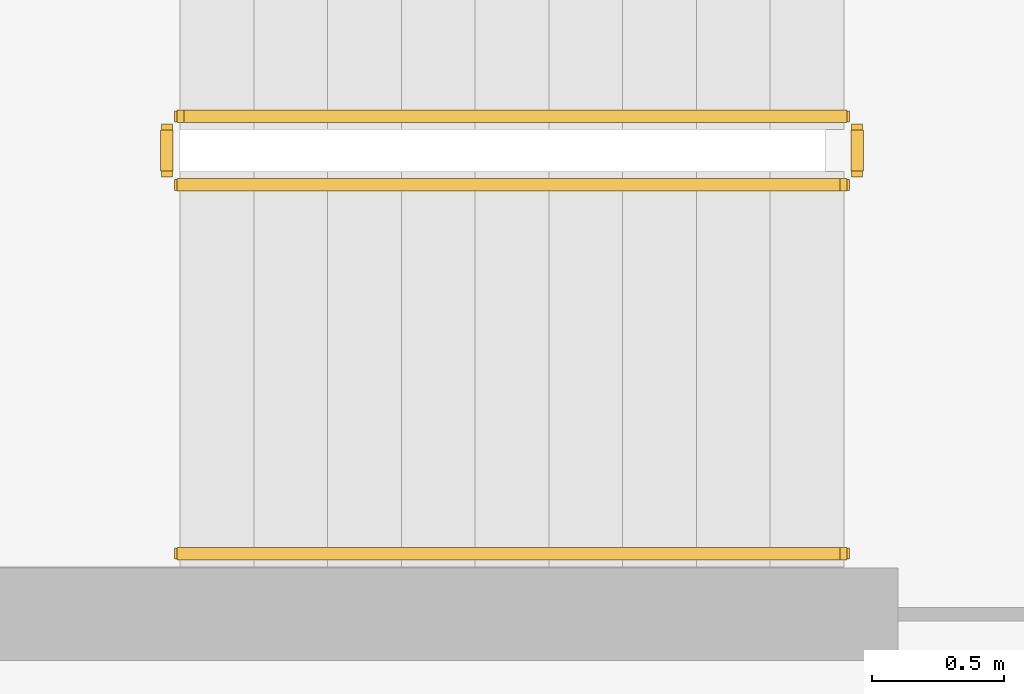
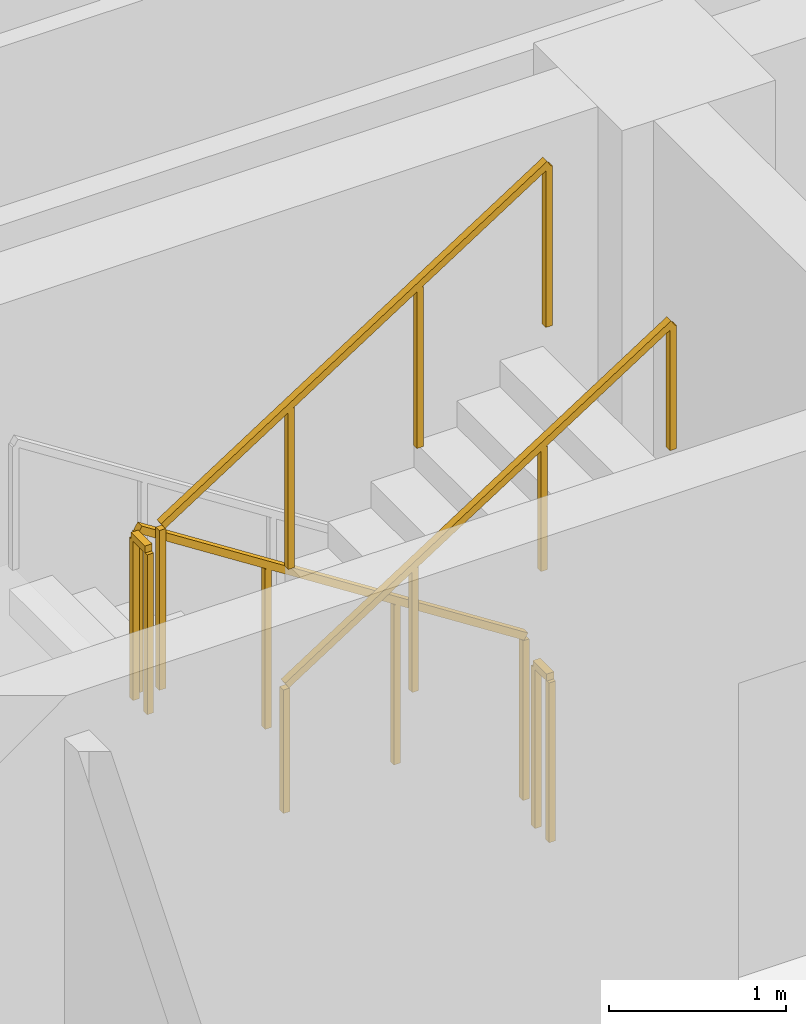
# One storey, part 12 of 14: 5 railings.
"""IFC4 building model written with IfcOpenShell, lengths in metres."""

from ifc_helpers import new_model, si_unit, direction, frame, origin, origin_2d, place, context, subcontext, project, spatial, rectangle, extrude, material, type_object, element, save


model = new_model("IFC4")

# Units and contexts
model_context = context("Model", 3, precision=1e-05, world=origin(), true_north=direction((0.0, 1.0)))
body_context = subcontext(model_context, "Body", "Model", "MODEL_VIEW")
ifc_project = project(units=[si_unit("LENGTHUNIT", "METRE"), si_unit("AREAUNIT", "SQUARE_METRE"), si_unit("VOLUMEUNIT", "CUBIC_METRE"), si_unit("PLANEANGLEUNIT", "RADIAN"), si_unit("MASSUNIT", "GRAM", prefix="KILO")], contexts=[model_context])

# Site, building, storey
site_placement = place(None, origin())
site = spatial("IfcSite", under=ifc_project, at=site_placement, CompositionType="ELEMENT")
building_placement = place(site_placement, origin())
building = spatial("IfcBuilding", under=site, at=building_placement, Name="Zarnavel Station Tower", CompositionType="ELEMENT")
storey_placement = place(building_placement, frame((0.0, 0.0, 214.800048828125)))
storey = spatial("IfcBuildingStorey", under=building, at=storey_placement, Name="L58", CompositionType="ELEMENT", Elevation=214.800048828125)

# Railings
ifc_material_1 = material(Name="Painted Steel S355J2 Balustrade", Category="steel")
railing_type_1 = type_object("IfcRailingType", Name="GR_INT_1150", PredefinedType="GUARDRAIL", material=ifc_material_1)
railing_1_placement = place(storey_placement, frame((19.47998046875, 35.3701171875, 0.179931640625)))
element("IfcRailing", 1, at=railing_1_placement, inside=storey, type_object=railing_type_1, Name="L58 ST1 stair guard 1", PredefinedType="GUARDRAIL", context=body_context, shape_type="SweptSolid", body=[
    extrude(rectangle(XDim=0.048095703125, YDim=0.048095703125, at=origin_2d()), frame((-0.001708984375, 0.0, 1.126953125), z_axis=(-0.841162588446, 0.0, 0.540782303519), x_axis=(0.0, -1.0, 0.0)), (0.0, 0.0, 1.0), 2.991943359375),
    extrude(rectangle(XDim=0.0419921875, YDim=0.0419921875, at=origin_2d()), origin(), (0.0, 0.0, 1.0), 1.101806640625),
    extrude(rectangle(XDim=0.0419921875, YDim=0.0419921875, at=origin_2d()), frame((-0.840087890625, 0.0, 0.5400390625)), (0.0, 0.0, 1.0), 1.101806640625),
    extrude(rectangle(XDim=0.0419921875, YDim=0.0419921875, at=origin_2d()), frame((-1.679931640625, 0.0, 1.080078125)), (0.0, 0.0, 1.0), 1.101806640625),
    extrude(rectangle(XDim=0.0419921875, YDim=0.0419921875, at=origin_2d()), frame((-2.52001953125, 0.0, 1.6201171875)), (0.0, 0.0, 1.0), 1.101806640625),
])
railing_2_placement = place(storey_placement, frame((16.909912109375, 35.320068359375, 1.800048828125)))
element("IfcRailing", 2, at=railing_2_placement, inside=storey, type_object=railing_type_1, Name="L58 ST1 stair guard 2", PredefinedType="GUARDRAIL", context=body_context, shape_type="SweptSolid", body=[
    extrude(rectangle(XDim=0.048095703125, YDim=0.048095703125, at=origin_2d()), frame((0.0, -0.001953125, 1.1259765625), z_axis=(0.0, -1.0, 0.0), x_axis=(1.0, 0.0, 0.0)), (0.0, 0.0, 1.0), 0.15625),
    extrude(rectangle(XDim=0.0419921875, YDim=0.0419921875, at=origin_2d()), origin(), (0.0, 0.0, 1.0), 1.101806640625),
    extrude(rectangle(XDim=0.0419921875, YDim=0.0419921875, at=origin_2d()), frame((0.0, -0.16015625, 0.0)), (0.0, 0.0, 1.0), 1.101806640625),
])
railing_3_placement = place(storey_placement, frame((16.9599609375, 35.110107421875, 1.97998046875)))
element("IfcRailing", 3, at=railing_3_placement, inside=storey, type_object=railing_type_1, Name="L58 ST1 stair guard 3", PredefinedType="GUARDRAIL", context=body_context, shape_type="SweptSolid", body=[
    extrude(rectangle(XDim=0.048095703125, YDim=0.048095703125, at=origin_2d()), frame((0.001708984375, 0.0, 1.126953125), z_axis=(0.841199657755, 0.0, 0.540724639528), x_axis=(0.0, 1.0, 0.0)), (0.0, 0.0, 1.0), 2.99169921875),
    extrude(rectangle(XDim=0.0419921875, YDim=0.0419921875, at=origin_2d()), origin(), (0.0, 0.0, 1.0), 1.101806640625),
    extrude(rectangle(XDim=0.0419921875, YDim=0.0419921875, at=origin_2d()), frame((0.840087890625, 0.0, 0.5400390625)), (0.0, 0.0, 1.0), 1.101806640625),
    extrude(rectangle(XDim=0.0419921875, YDim=0.0419921875, at=origin_2d()), frame((1.679931640625, 0.0, 1.079833984375)), (0.0, 0.0, 1.0), 1.101806640625),
    extrude(rectangle(XDim=0.0419921875, YDim=0.0419921875, at=origin_2d()), frame((2.52001953125, 0.0, 1.619873046875)), (0.0, 0.0, 1.0), 1.101806640625),
])
railing_4_placement = place(storey_placement, frame((19.530029296875, 35.320068359375, 0.0)))
element("IfcRailing", 4, at=railing_4_placement, inside=storey, type_object=railing_type_1, Name="L58 ST1 stair guard 4", PredefinedType="GUARDRAIL", context=body_context, shape_type="SweptSolid", body=[
    extrude(rectangle(XDim=0.048095703125, YDim=0.048095703125, at=origin_2d()), frame((0.0, -0.001953125, 1.1259765625), z_axis=(0.0, -1.0, 0.0), x_axis=(1.0, 0.0, 0.0)), (0.0, 0.0, 1.0), 0.15625),
    extrude(rectangle(XDim=0.0419921875, YDim=0.0419921875, at=origin_2d()), origin(), (0.0, 0.0, 1.0), 1.101806640625),
    extrude(rectangle(XDim=0.0419921875, YDim=0.0419921875, at=origin_2d()), frame((0.0, -0.16015625, 0.0)), (0.0, 0.0, 1.0), 1.101806640625),
])
ifc_material_2 = material(Name="Brushed Stainless Steel S355J2 Handrail", Category="steel")
railing_type_2 = type_object("IfcRailingType", Name="HR_STAIR_900", PredefinedType="HANDRAIL", material=ifc_material_2)
railing_5_placement = place(storey_placement, frame((16.9599609375, 33.7099609375, 1.97998046875)))
element("IfcRailing", 5, at=railing_5_placement, inside=storey, type_object=railing_type_2, Name="L58 ST1 stair handrail 2", PredefinedType="HANDRAIL", context=body_context, shape_type="SweptSolid", body=[
    extrude(rectangle(XDim=0.048095703125, YDim=0.048095703125, at=origin_2d()), frame((0.001708984375, 0.0, 0.876953125), z_axis=(0.841199657755, 0.0, 0.540724639528), x_axis=(0.0, 1.0, 0.0)), (0.0, 0.0, 1.0), 2.99169921875),
    extrude(rectangle(XDim=0.0419921875, YDim=0.0419921875, at=origin_2d()), origin(), (0.0, 0.0, 1.0), 0.851806640625),
    extrude(rectangle(XDim=0.0419921875, YDim=0.0419921875, at=origin_2d()), frame((0.840087890625, 0.0, 0.5400390625)), (0.0, 0.0, 1.0), 0.851806640625),
    extrude(rectangle(XDim=0.0419921875, YDim=0.0419921875, at=origin_2d()), frame((1.679931640625, 0.0, 1.079833984375)), (0.0, 0.0, 1.0), 0.851806640625),
    extrude(rectangle(XDim=0.0419921875, YDim=0.0419921875, at=origin_2d()), frame((2.52001953125, 0.0, 1.619873046875)), (0.0, 0.0, 1.0), 0.851806640625),
])

save(model, "model.ifc")
